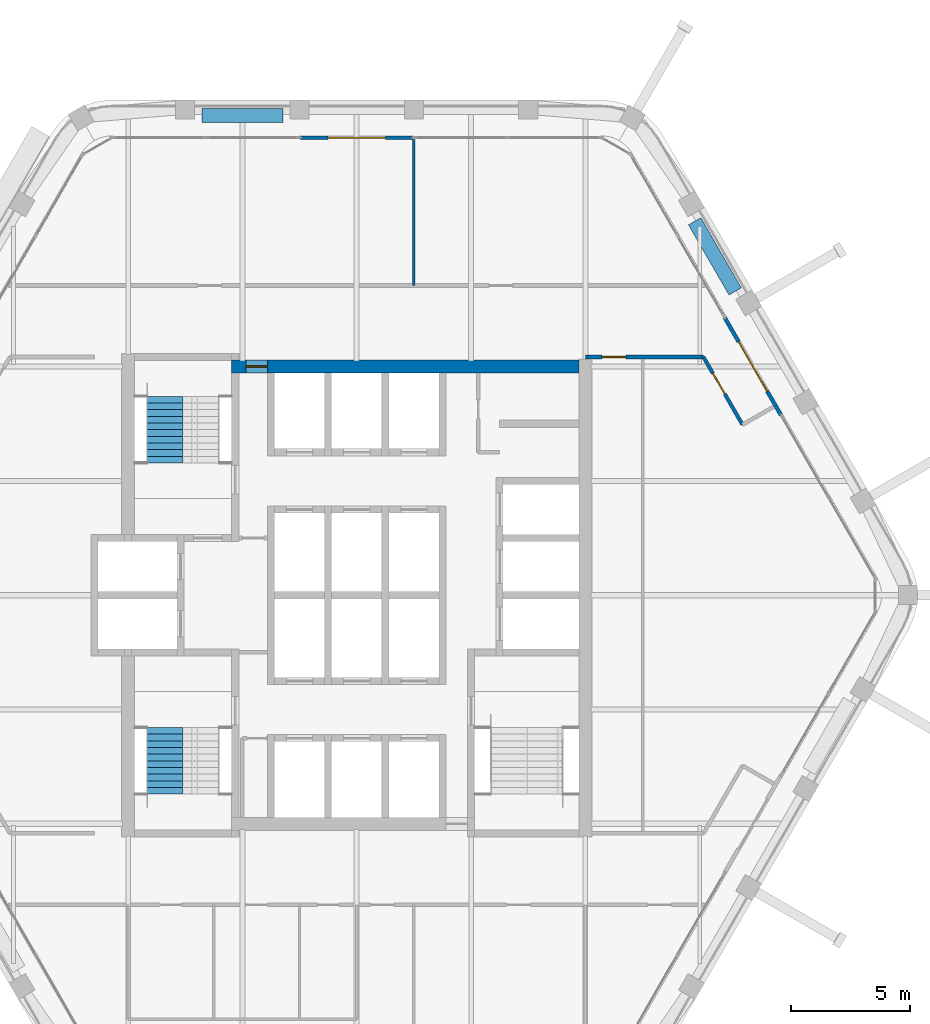
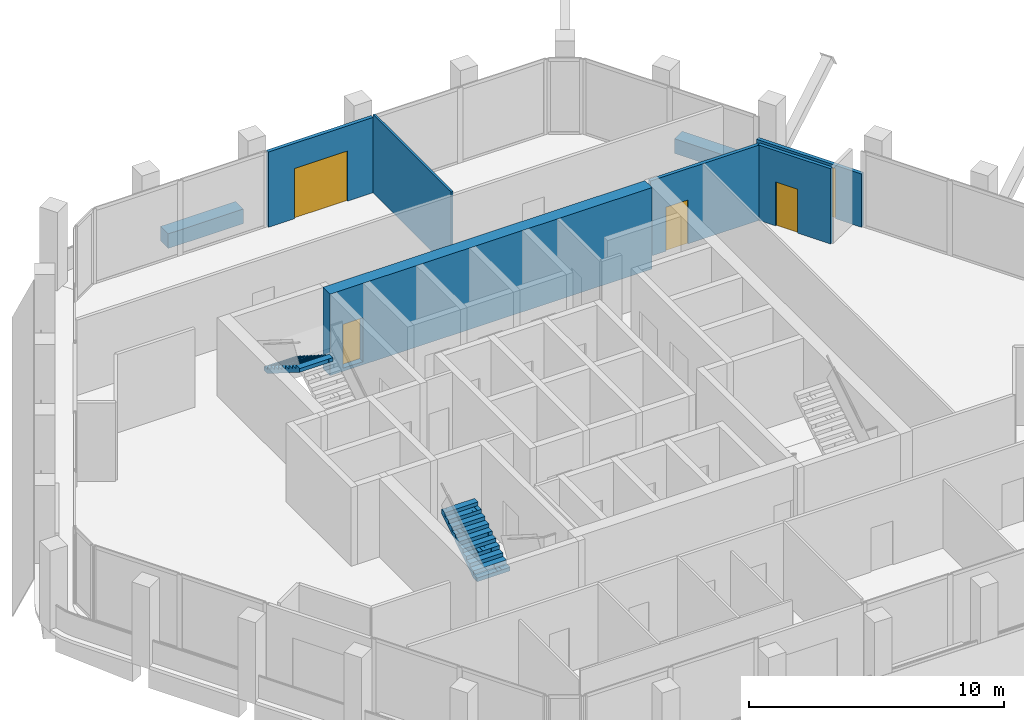
# One storey, part 10 of 14: 8 walls, 5 doors, 2 stair flights, 5 openings, 2 elements without a shape of their own.
"""IFC4 building model written with IfcOpenShell, lengths in metres."""

import ifcopenshell
import ifcopenshell.guid

model = None  # the IFC model being written
_history = None  # IfcOwnerHistory: only IFC2X3 demands one
_inside = {}  # id of a spatial element -> (the spatial element, [elements in it])
_under = {}  # id of a project, library or spatial element -> (it, [spatial elements below it])
_declared = {}  # id of a project -> (the project, [libraries it declares])
_typed = {}  # id of a type object -> (the type object, [elements of that type])
_made_of = {}  # id of a material, layer set ... -> (it, [elements and type objects made of it])


def new_model(schema):
    """Start an empty IFC model of exactly this schema.

    Asked for "IFC4X3", IfcOpenShell would pick the latest addendum, in which some entities
    have other attributes; the version numbers below select the first issue.
    IFC2X3 requires an IfcOwnerHistory on every rooted entity: one is made here for all.
    """
    global model, _history
    if schema == "IFC4X3":
        model = ifcopenshell.file(schema_version=(4, 3, 0, 0))
    else:
        model = ifcopenshell.file(schema=schema)
    _inside.clear()
    _under.clear()
    _declared.clear()
    _typed.clear()
    _made_of.clear()
    _history = None
    if model.schema == "IFC2X3":
        org = make("IfcOrganization", Name="unknown")
        user = make(
            "IfcPersonAndOrganization",
            ThePerson=make("IfcPerson", FamilyName="unknown"),
            TheOrganization=org,
        )
        app = make(
            "IfcApplication",
            ApplicationDeveloper=org,
            Version="unknown",
            ApplicationFullName="unknown",
            ApplicationIdentifier="unknown",
        )
        _history = make(
            "IfcOwnerHistory",
            OwningUser=user,
            OwningApplication=app,
            ChangeAction="ADDED",
            CreationDate=0,
        )
    return model


def make(cls, **values):
    """One entity of the class cls with the attributes given. An attribute that is None is left unset."""
    return model.create_entity(
        cls, **{name: value for name, value in values.items() if value is not None}
    )


def rooted(cls, **values):
    """An entity with a GlobalId (a new one), such as an element, a storey or a relation."""
    return make(cls, GlobalId=ifcopenshell.guid.new(), OwnerHistory=_history, **values)


def si_unit(unit_type, name, prefix=None):
    """IfcSIUnit, for example si_unit("LENGTHUNIT", "METRE", prefix="MILLI")."""
    return make("IfcSIUnit", UnitType=unit_type, Prefix=prefix, Name=name)


def assignment(units):
    """IfcUnitAssignment: the units of a project."""
    return None if units is None else make("IfcUnitAssignment", Units=units)


def point(xyz):
    """IfcCartesianPoint."""
    return None if xyz is None else make("IfcCartesianPoint", Coordinates=xyz)


def direction(xyz):
    """IfcDirection."""
    return None if xyz is None else make("IfcDirection", DirectionRatios=xyz)


def frame(location, z_axis=None, x_axis=None):
    """IfcAxis2Placement3D, a coordinate frame: its origin and axes. An axis left out is left unset."""
    return make(
        "IfcAxis2Placement3D",
        Location=point(location),
        Axis=direction(z_axis),
        RefDirection=direction(x_axis),
    )


def frame_2d(location, x_axis=None):
    """IfcAxis2Placement2D, a coordinate frame in the plane: its origin and x axis."""
    return make(
        "IfcAxis2Placement2D", Location=point(location), RefDirection=direction(x_axis)
    )


def origin():
    """The frame at (0, 0, 0) with its axes left unset."""
    return frame((0.0, 0.0, 0.0))


def place(relative_to, where):
    """IfcLocalPlacement: puts the frame where relative to a parent placement (None: the world)."""
    return make(
        "IfcLocalPlacement", PlacementRelTo=relative_to, RelativePlacement=where
    )


def context(
    kind, dimensions, precision=None, world=None, true_north=None, identifier=None
):
    """IfcGeometricRepresentationContext, for example the 3D "Model" context."""
    return make(
        "IfcGeometricRepresentationContext",
        ContextIdentifier=identifier,
        ContextType=kind,
        CoordinateSpaceDimension=dimensions,
        Precision=precision,
        WorldCoordinateSystem=world,
        TrueNorth=true_north,
    )


def subcontext(parent, identifier, kind, view, scale=None):
    """IfcGeometricRepresentationSubContext, for example "Body" below "Model"."""
    return make(
        "IfcGeometricRepresentationSubContext",
        ContextIdentifier=identifier,
        ContextType=kind,
        ParentContext=parent,
        TargetScale=scale,
        TargetView=view,
    )


def project(units=None, contexts=None):
    """IfcProject with its units and contexts."""
    return rooted(
        "IfcProject",
        Name="project",
        RepresentationContexts=contexts,
        UnitsInContext=assignment(units),
    )


def spatial(cls, under=None, at=None, **own):
    """A site, building, storey or space (cls), placed at a placement, below another one or the project."""
    s = rooted(cls, ObjectPlacement=at, **own)
    if under is not None:
        _under.setdefault(under.id(), (under, []))[1].append(s)
    return s


def polyline(points):
    """IfcPolyline through the points."""
    return make("IfcPolyline", Points=[point(p) for p in points])


def profile(cls, at=None, kind="AREA", **sizes):
    """A parametric profile (cls). Its sizes go by their IFC names, for example OverallWidth=200.0."""
    return make(cls, ProfileType=kind, Position=at, **sizes)


def rectangle(**sizes):
    """IfcRectangleProfileDef."""
    return profile("IfcRectangleProfileDef", **sizes)


def outline(outer, holes=None, kind="AREA"):
    """IfcArbitraryClosedProfileDef: a profile drawn as a closed curve; with holes, ...WithVoids."""
    if holes is None:
        return make("IfcArbitraryClosedProfileDef", ProfileType=kind, OuterCurve=outer)
    return make(
        "IfcArbitraryProfileDefWithVoids",
        ProfileType=kind,
        OuterCurve=outer,
        InnerCurves=holes,
    )


def extrude(swept, where, along, depth):
    """IfcExtrudedAreaSolid: the profile swept, set in the frame where, extruded along a direction by depth."""
    return make(
        "IfcExtrudedAreaSolid",
        SweptArea=swept,
        Position=where,
        ExtrudedDirection=direction(along),
        Depth=depth,
    )


def shape(context_of_items, identifier, shape_type, items):
    """IfcShapeRepresentation: the items that make up one representation, for example the "Body"."""
    return make(
        "IfcShapeRepresentation",
        ContextOfItems=context_of_items,
        RepresentationIdentifier=identifier,
        RepresentationType=shape_type,
        Items=items,
    )


def material(Name=None, Category=None):
    """IfcMaterial."""
    return make("IfcMaterial", Name=Name, Category=Category)


def layer(
    of_material, thickness, ventilated=None, Name=None, Category=None, Priority=None
):
    """IfcMaterialLayer: one layer of a wall or slab, of a material (None: an air gap)."""
    return make(
        "IfcMaterialLayer",
        Material=of_material,
        LayerThickness=thickness,
        IsVentilated=ventilated,
        Name=Name,
        Category=Category,
        Priority=Priority,
    )


def layer_set(layers, Name=None):
    """IfcMaterialLayerSet."""
    return make("IfcMaterialLayerSet", MaterialLayers=layers, LayerSetName=Name)


def made_of(thing, what):
    """Note that an element or type object is made of a material, layer set ...; save() writes the relation."""
    if what is not None:
        _made_of.setdefault(what.id(), (what, []))[1].append(thing)
    return thing


def type_object(cls, material=None, **own):
    """A type object (cls), such as IfcWallType, which elements share."""
    return made_of(rooted(cls, **own), material)


def element(
    cls,
    number,
    at=None,
    inside=None,
    cuts=None,
    type_object=None,
    material=None,
    context=None,
    identifier="Body",
    shape_type=None,
    held_by="IfcProductDefinitionShape",
    body=None,
    shapes=None,
    **own,
):
    """One element of the class cls, such as IfcWall. Its Tag is "e" and its number.

    at: its placement. inside: the storey or other place that contains it. cuts: it is an
    opening in that element (IfcRelVoidsElement). A single representation is given by context,
    identifier, shape_type and body (its items); several are given by shapes. held_by: the class
    of the entity that holds the representations. save() writes the other relations.
    """
    e = rooted(cls, Tag="e%d" % number, ObjectPlacement=at, **own)
    if body is not None:
        shapes = [shape(context, identifier, shape_type, body)]
    if shapes is not None:
        e.Representation = make(held_by, Representations=shapes)
    if inside is not None:
        _inside.setdefault(inside.id(), (inside, []))[1].append(e)
    if cuts is not None:
        rooted(
            "IfcRelVoidsElement", RelatingBuildingElement=cuts, RelatedOpeningElement=e
        )
    if type_object is not None:
        _typed.setdefault(type_object.id(), (type_object, []))[1].append(e)
    return made_of(e, material)


def fill(opening, filler):
    """IfcRelFillsElement: the door or window that sits in an opening."""
    return rooted(
        "IfcRelFillsElement",
        RelatingOpeningElement=opening,
        RelatedBuildingElement=filler,
    )


def aggregate(whole, parts):
    """IfcRelAggregates: a whole, such as a stair, and the parts it consists of."""
    return rooted("IfcRelAggregates", RelatingObject=whole, RelatedObjects=parts)


def save(model, path):
    """Write the relations noted so far, then the file.

    IfcRelAggregates (storeys below a building ...), IfcRelContainedInSpatialStructure (elements
    in a storey), IfcRelDefinesByType, IfcRelAssociatesMaterial and IfcRelDeclares: one each for
    every whole, place, type object, material and project.
    """
    for whole, parts in _under.values():
        aggregate(whole, parts)
    for where, things in _inside.values():
        rooted(
            "IfcRelContainedInSpatialStructure",
            RelatedElements=things,
            RelatingStructure=where,
        )
    for kind, things in _typed.values():
        rooted("IfcRelDefinesByType", RelatedObjects=things, RelatingType=kind)
    for what, things in _made_of.values():
        rooted("IfcRelAssociatesMaterial", RelatedObjects=things, RelatingMaterial=what)
    for by, libraries in _declared.values():
        rooted("IfcRelDeclares", RelatingContext=by, RelatedDefinitions=libraries)
    model.write(path)


model = new_model("IFC4")

# Units and contexts
model_context = context("Model", 3, precision=1e-05, world=origin(), true_north=direction((0.0, 1.0)))
body_context = subcontext(model_context, "Body", "Model", "MODEL_VIEW")
ifc_project = project(units=[si_unit("LENGTHUNIT", "METRE"), si_unit("AREAUNIT", "SQUARE_METRE"), si_unit("VOLUMEUNIT", "CUBIC_METRE"), si_unit("PLANEANGLEUNIT", "RADIAN"), si_unit("MASSUNIT", "GRAM", prefix="KILO")], contexts=[model_context])

# Site, building, storey
site_placement = place(None, origin())
site = spatial("IfcSite", under=ifc_project, at=site_placement, CompositionType="ELEMENT")
building_placement = place(site_placement, origin())
building = spatial("IfcBuilding", under=site, at=building_placement, Name="Kolab Exchange Tower", CompositionType="ELEMENT")
storey_placement = place(building_placement, frame((0.0, 0.0, 281.300048828125)))
storey = spatial("IfcBuildingStorey", under=building, at=storey_placement, Name="L63", CompositionType="ELEMENT", Elevation=281.300048828125)

# Wall, opening, door
ifc_material_1 = material(Name="Concrete C50/60", Category="concrete")
ifc_layer_1 = layer(ifc_material_1, 0.550048828125)
ifc_layer_set_1 = layer_set([ifc_layer_1], Name="Concrete C50/60")
wall_type_1 = type_object("IfcWallType", Name="CORE WALL 550 C50/60", PredefinedType="SHEAR", material=ifc_layer_set_1)
wall_1_placement = place(storey_placement, frame((-5.25, 9.60009765625, -0.150146484375), z_axis=(0.0, 0.0, 1.0), x_axis=(1.0, 0.0, 0.0)))
wall_1 = element("IfcWall", 1, at=wall_1_placement, inside=storey, type_object=wall_type_1, Name="wall/L63/core/031", PredefinedType="SHEAR", context=body_context, shape_type="SweptSolid", body=[
    extrude(rectangle(XDim=14.574951171875, YDim=0.550048828125, at=frame_2d((7.28759765625, 0.0))), origin(), (0.0, 0.0, 1.0), 3.900146484375),
])
opening_1_placement = place(wall_1_placement, frame((0.60009765625, 0.0, 0.14990234375)))
opening_1 = element("IfcOpeningElement", 2, at=opening_1_placement, cuts=wall_1, Name="Opening D6-295", PredefinedType="OPENING", context=body_context, shape_type="SweptSolid", body=[
    extrude(rectangle(XDim=0.89990234375, YDim=2.10009765625, at=frame_2d((0.449951171875, 1.050048828125))), frame((0.0, 0.28515625, 0.0), z_axis=(0.0, -1.0, 0.0), x_axis=(1.0, 0.0, 0.0)), (0.0, 0.0, 1.0), 0.570068359375),
])
ifc_material_2 = material(Name="Steel S235", Category="steel")
door_type_1 = type_object("IfcDoorType", Name="CORE DOOR 900 EI 120", OperationType="SINGLE_SWING_LEFT", PredefinedType="DOOR", material=ifc_material_2)
door_1_placement = place(opening_1_placement, frame((0.89990234375, 0.0, 0.0), z_axis=(0.0, 0.0, 1.0), x_axis=(-1.0, 0.0, 0.0)))
door_1 = element("IfcDoor", 3, at=door_1_placement, inside=storey, type_object=door_type_1, Name="Core lobby door", OperationType="SINGLE_SWING_RIGHT", OverallHeight=2.10009765625, OverallWidth=0.89990234375, PredefinedType="DOOR", context=body_context, shape_type="SweptSolid", body=[
    extrude(rectangle(XDim=0.89990234375, YDim=2.10009765625, at=frame_2d((0.449951171875, 1.050048828125))), frame((0.0, 0.02490234375, 0.0), z_axis=(0.0, -1.0, 0.0), x_axis=(1.0, 0.0, 0.0)), (0.0, 0.0, 1.0), 0.050048828125),
])
fill(opening_1, door_1)

ifc_material_3 = material(Name="Aluminium EN AW-6063 T6", Category="aluminium")
ifc_layer_2 = layer(ifc_material_3, 0.159912109375)
ifc_layer_set_2 = layer_set([ifc_layer_2], Name="Aluminium EN AW-6063 T6")
wall_type_2 = type_object("IfcWallType", Name="DOOR SURROUND WALL 160 ALUMINIUM FRAMED", PredefinedType="PARTITIONING", material=ifc_layer_set_2)
wall_2_placement = place(storey_placement, frame((-2.3701171875, 19.20458984375, 0.0), z_axis=(0.0, 0.0, 1.0), x_axis=(1.0, 0.0, 0.0)))
wall_2 = element("IfcWall", 4, at=wall_2_placement, inside=storey, type_object=wall_type_2, Name="Door surround wall", PredefinedType="PARTITIONING", context=body_context, shape_type="SweptSolid", body=[
    extrude(rectangle(XDim=4.740234375, YDim=0.159912109375, at=frame_2d((2.3701171875, 0.0))), origin(), (0.0, 0.0, 1.0), 3.599853515625),
])
opening_2_placement = place(wall_2_placement, frame((1.169921875, 0.0, 0.0)))
opening_2 = element("IfcOpeningElement", 5, at=opening_2_placement, cuts=wall_2, Name="Opening GD1-098", PredefinedType="OPENING", context=body_context, shape_type="SweptSolid", body=[
    extrude(rectangle(XDim=2.39990234375, YDim=2.39990234375, at=frame_2d((1.199951171875, 1.199951171875))), frame((0.0, 0.08984375, 0.0), z_axis=(0.0, -1.0, 0.0), x_axis=(1.0, 0.0, 0.0)), (0.0, 0.0, 1.0), 0.179931640625),
])
door_type_2 = type_object("IfcDoorType", Name="LOGGIA SLIDING GLASS DOOR 2400 X 2400", OperationType="DOUBLE_DOOR_SINGLE_SWING", PredefinedType="DOOR", material=ifc_material_3)
door_2_placement = place(opening_2_placement, origin())
door_2 = element("IfcDoor", 6, at=door_2_placement, inside=storey, type_object=door_type_2, Name="Loggia door", OperationType="DOUBLE_DOOR_SLIDING", OverallHeight=2.39990234375, OverallWidth=2.39990234375, PredefinedType="DOOR", context=body_context, shape_type="SweptSolid", body=[
    extrude(rectangle(XDim=2.39990234375, YDim=2.39990234375, at=frame_2d((1.199951171875, 1.199951171875))), frame((0.0, 0.02490234375, 0.0), z_axis=(0.0, -1.0, 0.0), x_axis=(1.0, 0.0, 0.0)), (0.0, 0.0, 1.0), 0.050048828125),
])
fill(opening_2, door_2)

wall_3_placement = place(storey_placement, frame((15.44677734375, 11.65478515625, 0.0), z_axis=(0.0, 0.0, 1.0), x_axis=(0.499978080042, -0.866038058908, 0.0)))
wall_3 = element("IfcWall", 7, at=wall_3_placement, inside=storey, type_object=wall_type_2, Name="Door surround wall", PredefinedType="PARTITIONING", context=body_context, shape_type="SweptSolid", body=[
    extrude(rectangle(XDim=4.739990234375, YDim=0.159912109375, at=frame_2d((2.3701171875, 0.0))), origin(), (0.0, 0.0, 1.0), 2.550048828125),
])
opening_3_placement = place(wall_3_placement, frame((1.169921875, 0.0, 0.0)))
opening_3 = element("IfcOpeningElement", 8, at=opening_3_placement, cuts=wall_3, Name="Opening GD1-114", PredefinedType="OPENING", context=body_context, shape_type="SweptSolid", body=[
    extrude(rectangle(XDim=2.39990234375, YDim=2.39990234375, at=frame_2d((1.199951171875, 1.199951171875))), frame((0.0, 0.08984375, 0.0), z_axis=(0.0, -1.0, 0.0), x_axis=(1.0, 0.0, 0.0)), (0.0, 0.0, 1.0), 0.179931640625),
])
door_3_placement = place(opening_3_placement, origin())
door_3 = element("IfcDoor", 9, at=door_3_placement, inside=storey, type_object=door_type_2, Name="Loggia door", OperationType="DOUBLE_DOOR_SLIDING", OverallHeight=2.39990234375, OverallWidth=2.39990234375, PredefinedType="DOOR", context=body_context, shape_type="SweptSolid", body=[
    extrude(rectangle(XDim=2.39990234375, YDim=2.39990234375, at=frame_2d((1.199951171875, 1.199951171875))), frame((0.0, 0.02490234375, 0.0), z_axis=(0.0, -1.0, 0.0), x_axis=(1.0, 0.0, 0.0)), (0.0, 0.0, 1.0), 0.050048828125),
])
fill(opening_3, door_3)

# Wall
ifc_material_4 = material(Name="Gypsum board", Category="gypsum")
ifc_layer_3 = layer(ifc_material_4, 0.10009765625)
ifc_layer_set_3 = layer_set([ifc_layer_3], Name="Gypsum board")
wall_type_3 = type_object("IfcWallType", Name="PARTITION 100", PredefinedType="PARTITIONING", material=ifc_layer_set_3)
wall_4_placement = place(storey_placement, frame((2.39990234375, 13.0, 0.0), z_axis=(0.0, 0.0, 1.0), x_axis=(0.0, 1.0, 0.0)))
element("IfcWall", 10, at=wall_4_placement, inside=storey, type_object=wall_type_3, Name="Partition 004", PredefinedType="PARTITIONING", context=body_context, shape_type="SweptSolid", body=[
    extrude(rectangle(XDim=6.12451171875, YDim=0.10009765625, at=frame_2d((3.062255859375, 0.0))), origin(), (0.0, 0.0, 1.0), 3.75),
])

# Wall, opening, door
ifc_layer_4 = layer(ifc_material_4, 0.14990234375)
ifc_layer_set_4 = layer_set([ifc_layer_4], Name="Gypsum board")
wall_type_4 = type_object("IfcWallType", Name="PARTITION 150 FIRE-RATED", PredefinedType="PARTITIONING", material=ifc_layer_set_4)
wall_5_placement = place(storey_placement, frame((14.5546875, 10.0, 0.0), z_axis=(0.0, 0.0, 1.0), x_axis=(0.499954196102, -0.866051847062, 0.0)))
wall_5 = element("IfcWall", 11, at=wall_5_placement, inside=storey, type_object=wall_type_4, Name="Partition 011", PredefinedType="PARTITIONING", context=body_context, shape_type="SweptSolid", body=[
    extrude(rectangle(XDim=3.282958984375, YDim=0.14990234375, at=frame_2d((1.6416015625, 0.0))), origin(), (0.0, 0.0, 1.0), 3.599853515625),
])
opening_4_placement = place(wall_5_placement, frame((0.7939453125, 0.0, 0.0)))
opening_4 = element("IfcOpeningElement", 12, at=opening_4_placement, cuts=wall_5, Name="Opening D1-740", PredefinedType="OPENING", context=body_context, shape_type="SweptSolid", body=[
    extrude(rectangle(XDim=1.0, YDim=2.10009765625, at=frame_2d((0.5, 1.050048828125))), frame((0.0, 0.0849609375, 0.0), z_axis=(0.0, -1.0, 0.0), x_axis=(1.0, 0.0, 0.0)), (0.0, 0.0, 1.0), 0.169921875),
])
door_type_3 = type_object("IfcDoorType", Name="FLUSH DOOR 1000 FD60", OperationType="SINGLE_SWING_LEFT", PredefinedType="DOOR", material=ifc_material_2)
door_4_placement = place(opening_4_placement, frame((1.0, 0.0, 0.0), z_axis=(0.0, 0.0, 1.0), x_axis=(-1.0, 0.0, 0.0)))
door_4 = element("IfcDoor", 13, at=door_4_placement, inside=storey, type_object=door_type_3, Name="Door L63-038", OperationType="SINGLE_SWING_LEFT", OverallHeight=2.10009765625, OverallWidth=1.0, PredefinedType="DOOR", context=body_context, shape_type="SweptSolid", body=[
    extrude(rectangle(XDim=1.0, YDim=2.10009765625, at=frame_2d((0.5, 1.050048828125))), frame((0.0, 0.02490234375, 0.0), z_axis=(0.0, -1.0, 0.0), x_axis=(1.0, 0.0, 0.0)), (0.0, 0.0, 1.0), 0.050048828125),
])
fill(opening_4, door_4)

wall_6_placement = place(storey_placement, frame((9.60009765625, 10.0, 0.0), z_axis=(0.0, 0.0, 1.0), x_axis=(1.0, 0.0, 0.0)))
wall_6 = element("IfcWall", 14, at=wall_6_placement, inside=storey, type_object=wall_type_4, Name="Partition 025", PredefinedType="PARTITIONING", context=body_context, shape_type="SweptSolid", body=[
    extrude(rectangle(XDim=4.95458984375, YDim=0.14990234375, at=frame_2d((2.477294921875, 0.0))), origin(), (0.0, 0.0, 1.0), 3.599853515625),
])
opening_5_placement = place(wall_6_placement, frame((0.699951171875, 0.0, 0.0)))
opening_5 = element("IfcOpeningElement", 15, at=opening_5_placement, cuts=wall_6, Name="Opening D1-739", PredefinedType="OPENING", context=body_context, shape_type="SweptSolid", body=[
    extrude(rectangle(XDim=1.0, YDim=2.10009765625, at=frame_2d((0.5, 1.050048828125))), frame((0.0, 0.0849609375, 0.0), z_axis=(0.0, -1.0, 0.0), x_axis=(1.0, 0.0, 0.0)), (0.0, 0.0, 1.0), 0.169921875),
])
door_5_placement = place(opening_5_placement, frame((1.0, 0.0, 0.0), z_axis=(0.0, 0.0, 1.0), x_axis=(-1.0, 0.0, 0.0)))
door_5 = element("IfcDoor", 16, at=door_5_placement, inside=storey, type_object=door_type_3, Name="Door L63-037", OperationType="SINGLE_SWING_LEFT", OverallHeight=2.10009765625, OverallWidth=1.0, PredefinedType="DOOR", context=body_context, shape_type="SweptSolid", body=[
    extrude(rectangle(XDim=1.0, YDim=2.10009765625, at=frame_2d((0.5, 1.050048828125))), frame((0.0, 0.02490234375, 0.0), z_axis=(0.0, -1.0, 0.0), x_axis=(1.0, 0.0, 0.0)), (0.0, 0.0, 1.0), 0.050048828125),
])
fill(opening_5, door_5)

# Walls
ifc_material_5 = material(Name="Granite facing", Category="masonry")
ifc_layer_5 = layer(ifc_material_5, 0.0400390625)
ifc_material_6 = material(Name="Concrete C40/50 precast", Category="concrete")
ifc_layer_6 = layer(ifc_material_6, 0.56005859375)
ifc_layer_set_5 = layer_set([ifc_layer_5, ifc_layer_6], Name="Concrete C40/50 precast")
wall_type_5 = type_object("IfcWallType", Name="PLANTER BOX 600 X 700 SOIL DEPTH 550", PredefinedType="USERDEFINED", material=ifc_layer_set_5)
wall_7_placement = place(storey_placement, frame((-6.5, 20.134521484375, 0.0), z_axis=(0.0, 0.0, 1.0), x_axis=(1.0, 0.0, 0.0)))
element("IfcWall", 17, at=wall_7_placement, inside=storey, type_object=wall_type_5, Name="Planter", ObjectType="PLANTER", PredefinedType="USERDEFINED", context=body_context, shape_type="SweptSolid", body=[
    extrude(rectangle(XDim=3.39990234375, YDim=0.60009765625, at=frame_2d((1.699951171875, 0.0))), origin(), (0.0, 0.0, 1.0), 0.699951171875),
])
wall_8_placement = place(storey_placement, frame((14.18701171875, 15.696533203125, 0.0), z_axis=(0.0, 0.0, 1.0), x_axis=(0.499977295307, -0.866038511948, 0.0)))
element("IfcWall", 18, at=wall_8_placement, inside=storey, type_object=wall_type_5, Name="Planter", ObjectType="PLANTER", PredefinedType="USERDEFINED", context=body_context, shape_type="SweptSolid", body=[
    extrude(rectangle(XDim=3.400146484375, YDim=0.60009765625, at=frame_2d((1.7001953125, 0.0))), origin(), (0.0, 0.0, 1.0), 0.699951171875),
])

# Stair, stair flight
stair_type_1 = type_object("IfcStairType", Name="STAIR ST1 RISER 177.3", PredefinedType="HALF_TURN_STAIR", material=ifc_material_1)
stair_1_placement = place(storey_placement, origin())
stair_1 = element("IfcStair", 19, at=stair_1_placement, inside=storey, type_object=stair_type_1, Name="Stair 1", PredefinedType="HALF_TURN_STAIR")
stair_flight_type = type_object("IfcStairFlightType", Name="STAIR FLIGHT 1500 RISER 177.3", PredefinedType="STRAIGHT", material=ifc_material_1)
stair_flight_1_placement = place(storey_placement, frame((-8.047607421875, 8.35009765625, 1.949951171875), z_axis=(0.0, 0.0, 1.0), x_axis=(0.0, -1.0, 0.0)))
stair_flight_1 = element("IfcStairFlight", 20, at=stair_flight_1_placement, type_object=stair_flight_type, Name="ST1 flight 2", NumberOfRisers=11, NumberOfTreads=10, PredefinedType="STRAIGHT", RiserHeight=0.177272727, TreadLength=0.28, context=body_context, shape_type="SweptSolid", body=[
    extrude(outline(polyline([(0.0, 0.0), (0.0, 0.17724609375), (0.280029296875, 0.17724609375), (0.280029296875, 0.3544921875), (0.56005859375, 0.3544921875), (0.56005859375, 0.53173828125), (0.840087890625, 0.53173828125), (0.840087890625, 0.708984375), (1.1201171875, 0.708984375), (1.1201171875, 0.886474609375), (1.39990234375, 0.886474609375), (1.39990234375, 1.063720703125), (1.679931640625, 1.063720703125), (1.679931640625, 1.240966796875), (1.9599609375, 1.240966796875), (1.9599609375, 1.418212890625), (2.239990234375, 1.418212890625), (2.239990234375, 1.595458984375), (2.52001953125, 1.595458984375), (2.52001953125, 1.772705078125), (2.800048828125, 1.772705078125), (2.800048828125, 1.949951171875), (2.800048828125, 1.59521484375), (0.2802734375, 0.0), (0.0, 0.0)])), frame((0.0, 0.75, 0.0), z_axis=(0.0, -1.0, 0.0), x_axis=(1.0, 0.0, 0.0)), (0.0, 0.0, 1.0), 0.185791015625),
    extrude(outline(polyline([(0.0, 0.0), (0.0, 0.17724609375), (0.280029296875, 0.17724609375), (0.280029296875, 0.3544921875), (0.56005859375, 0.3544921875), (0.56005859375, 0.53173828125), (0.840087890625, 0.53173828125), (0.840087890625, 0.708984375), (1.1201171875, 0.708984375), (1.1201171875, 0.886474609375), (1.39990234375, 0.886474609375), (1.39990234375, 1.063720703125), (1.679931640625, 1.063720703125), (1.679931640625, 1.240966796875), (1.9599609375, 1.240966796875), (1.9599609375, 1.418212890625), (2.239990234375, 1.418212890625), (2.239990234375, 1.595458984375), (2.52001953125, 1.595458984375), (2.52001953125, 1.772705078125), (2.800048828125, 1.772705078125), (2.800048828125, 1.949951171875), (2.800048828125, 1.59521484375), (0.2802734375, 0.0), (0.0, 0.0)])), frame((0.0, 0.562255859375, 0.0), z_axis=(0.0, -1.0, 0.0), x_axis=(1.0, 0.0, 0.0)), (0.0, 0.0, 1.0), 0.185791015625),
    extrude(outline(polyline([(0.0, 0.0), (0.0, 0.17724609375), (0.280029296875, 0.17724609375), (0.280029296875, 0.3544921875), (0.56005859375, 0.3544921875), (0.56005859375, 0.53173828125), (0.840087890625, 0.53173828125), (0.840087890625, 0.708984375), (1.1201171875, 0.708984375), (1.1201171875, 0.886474609375), (1.39990234375, 0.886474609375), (1.39990234375, 1.063720703125), (1.679931640625, 1.063720703125), (1.679931640625, 1.240966796875), (1.9599609375, 1.240966796875), (1.9599609375, 1.418212890625), (2.239990234375, 1.418212890625), (2.239990234375, 1.595458984375), (2.52001953125, 1.595458984375), (2.52001953125, 1.772705078125), (2.800048828125, 1.772705078125), (2.800048828125, 1.949951171875), (2.800048828125, 1.59521484375), (0.2802734375, 0.0), (0.0, 0.0)])), frame((0.0, 0.37451171875, 0.0), z_axis=(0.0, -1.0, 0.0), x_axis=(1.0, 0.0, 0.0)), (0.0, 0.0, 1.0), 0.185791015625),
    extrude(outline(polyline([(0.0, 0.0), (0.0, 0.17724609375), (0.280029296875, 0.17724609375), (0.280029296875, 0.3544921875), (0.56005859375, 0.3544921875), (0.56005859375, 0.53173828125), (0.840087890625, 0.53173828125), (0.840087890625, 0.708984375), (1.1201171875, 0.708984375), (1.1201171875, 0.886474609375), (1.39990234375, 0.886474609375), (1.39990234375, 1.063720703125), (1.679931640625, 1.063720703125), (1.679931640625, 1.240966796875), (1.9599609375, 1.240966796875), (1.9599609375, 1.418212890625), (2.239990234375, 1.418212890625), (2.239990234375, 1.595458984375), (2.52001953125, 1.595458984375), (2.52001953125, 1.772705078125), (2.800048828125, 1.772705078125), (2.800048828125, 1.949951171875), (2.800048828125, 1.59521484375), (0.2802734375, 0.0), (0.0, 0.0)])), frame((0.0, 0.186767578125, 0.0), z_axis=(0.0, -1.0, 0.0), x_axis=(1.0, 0.0, 0.0)), (0.0, 0.0, 1.0), 0.185791015625),
    extrude(outline(polyline([(0.0, 0.0), (0.0, 0.17724609375), (0.280029296875, 0.17724609375), (0.280029296875, 0.3544921875), (0.56005859375, 0.3544921875), (0.56005859375, 0.53173828125), (0.840087890625, 0.53173828125), (0.840087890625, 0.708984375), (1.1201171875, 0.708984375), (1.1201171875, 0.886474609375), (1.39990234375, 0.886474609375), (1.39990234375, 1.063720703125), (1.679931640625, 1.063720703125), (1.679931640625, 1.240966796875), (1.9599609375, 1.240966796875), (1.9599609375, 1.418212890625), (2.239990234375, 1.418212890625), (2.239990234375, 1.595458984375), (2.52001953125, 1.595458984375), (2.52001953125, 1.772705078125), (2.800048828125, 1.772705078125), (2.800048828125, 1.949951171875), (2.800048828125, 1.59521484375), (0.2802734375, 0.0), (0.0, 0.0)])), frame((0.0, -0.0009765625, 0.0), z_axis=(0.0, -1.0, 0.0), x_axis=(1.0, 0.0, 0.0)), (0.0, 0.0, 1.0), 0.185791015625),
    extrude(outline(polyline([(0.0, 0.0), (0.0, 0.17724609375), (0.280029296875, 0.17724609375), (0.280029296875, 0.3544921875), (0.56005859375, 0.3544921875), (0.56005859375, 0.53173828125), (0.840087890625, 0.53173828125), (0.840087890625, 0.708984375), (1.1201171875, 0.708984375), (1.1201171875, 0.886474609375), (1.39990234375, 0.886474609375), (1.39990234375, 1.063720703125), (1.679931640625, 1.063720703125), (1.679931640625, 1.240966796875), (1.9599609375, 1.240966796875), (1.9599609375, 1.418212890625), (2.239990234375, 1.418212890625), (2.239990234375, 1.595458984375), (2.52001953125, 1.595458984375), (2.52001953125, 1.772705078125), (2.800048828125, 1.772705078125), (2.800048828125, 1.949951171875), (2.800048828125, 1.59521484375), (0.2802734375, 0.0), (0.0, 0.0)])), frame((0.0, -0.188720703125, 0.0), z_axis=(0.0, -1.0, 0.0), x_axis=(1.0, 0.0, 0.0)), (0.0, 0.0, 1.0), 0.185791015625),
    extrude(outline(polyline([(0.0, 0.0), (0.0, 0.17724609375), (0.280029296875, 0.17724609375), (0.280029296875, 0.3544921875), (0.56005859375, 0.3544921875), (0.56005859375, 0.53173828125), (0.840087890625, 0.53173828125), (0.840087890625, 0.708984375), (1.1201171875, 0.708984375), (1.1201171875, 0.886474609375), (1.39990234375, 0.886474609375), (1.39990234375, 1.063720703125), (1.679931640625, 1.063720703125), (1.679931640625, 1.240966796875), (1.9599609375, 1.240966796875), (1.9599609375, 1.418212890625), (2.239990234375, 1.418212890625), (2.239990234375, 1.595458984375), (2.52001953125, 1.595458984375), (2.52001953125, 1.772705078125), (2.800048828125, 1.772705078125), (2.800048828125, 1.949951171875), (2.800048828125, 1.59521484375), (0.2802734375, 0.0), (0.0, 0.0)])), frame((0.0, -0.37646484375, 0.0), z_axis=(0.0, -1.0, 0.0), x_axis=(1.0, 0.0, 0.0)), (0.0, 0.0, 1.0), 0.185791015625),
    extrude(outline(polyline([(0.0, 0.0), (0.0, 0.17724609375), (0.280029296875, 0.17724609375), (0.280029296875, 0.3544921875), (0.56005859375, 0.3544921875), (0.56005859375, 0.53173828125), (0.840087890625, 0.53173828125), (0.840087890625, 0.708984375), (1.1201171875, 0.708984375), (1.1201171875, 0.886474609375), (1.39990234375, 0.886474609375), (1.39990234375, 1.063720703125), (1.679931640625, 1.063720703125), (1.679931640625, 1.240966796875), (1.9599609375, 1.240966796875), (1.9599609375, 1.418212890625), (2.239990234375, 1.418212890625), (2.239990234375, 1.595458984375), (2.52001953125, 1.595458984375), (2.52001953125, 1.772705078125), (2.800048828125, 1.772705078125), (2.800048828125, 1.949951171875), (2.800048828125, 1.59521484375), (0.2802734375, 0.0), (0.0, 0.0)])), frame((0.0, -0.564208984375, 0.0), z_axis=(0.0, -1.0, 0.0), x_axis=(1.0, 0.0, 0.0)), (0.0, 0.0, 1.0), 0.185791015625),
])
aggregate(stair_1, [stair_flight_1])

stair_type_2 = type_object("IfcStairType", Name="STAIR ST3 RISER 177.3", PredefinedType="HALF_TURN_STAIR", material=ifc_material_1)
stair_2_placement = place(storey_placement, origin())
stair_2 = element("IfcStair", 21, at=stair_2_placement, inside=storey, type_object=stair_type_2, Name="Stair 3", PredefinedType="HALF_TURN_STAIR")
stair_flight_2_placement = place(storey_placement, frame((-8.047607421875, -8.35009765625, 1.949951171875), z_axis=(0.0, 0.0, 1.0), x_axis=(0.0, 1.0, 0.0)))
stair_flight_2 = element("IfcStairFlight", 22, at=stair_flight_2_placement, type_object=stair_flight_type, Name="ST3 flight 2", NumberOfRisers=11, NumberOfTreads=10, PredefinedType="STRAIGHT", RiserHeight=0.177272727, TreadLength=0.28, context=body_context, shape_type="SweptSolid", body=[
    extrude(outline(polyline([(0.0, 0.0), (0.0, 0.17724609375), (0.280029296875, 0.17724609375), (0.280029296875, 0.3544921875), (0.56005859375, 0.3544921875), (0.56005859375, 0.53173828125), (0.840087890625, 0.53173828125), (0.840087890625, 0.708984375), (1.1201171875, 0.708984375), (1.1201171875, 0.886474609375), (1.39990234375, 0.886474609375), (1.39990234375, 1.063720703125), (1.679931640625, 1.063720703125), (1.679931640625, 1.240966796875), (1.9599609375, 1.240966796875), (1.9599609375, 1.418212890625), (2.239990234375, 1.418212890625), (2.239990234375, 1.595458984375), (2.52001953125, 1.595458984375), (2.52001953125, 1.772705078125), (2.800048828125, 1.772705078125), (2.800048828125, 1.949951171875), (2.800048828125, 1.59521484375), (0.2802734375, 0.0), (0.0, 0.0)])), frame((0.0, 0.75, 0.0), z_axis=(0.0, -1.0, 0.0), x_axis=(1.0, 0.0, 0.0)), (0.0, 0.0, 1.0), 0.185791015625),
    extrude(outline(polyline([(0.0, 0.0), (0.0, 0.17724609375), (0.280029296875, 0.17724609375), (0.280029296875, 0.3544921875), (0.56005859375, 0.3544921875), (0.56005859375, 0.53173828125), (0.840087890625, 0.53173828125), (0.840087890625, 0.708984375), (1.1201171875, 0.708984375), (1.1201171875, 0.886474609375), (1.39990234375, 0.886474609375), (1.39990234375, 1.063720703125), (1.679931640625, 1.063720703125), (1.679931640625, 1.240966796875), (1.9599609375, 1.240966796875), (1.9599609375, 1.418212890625), (2.239990234375, 1.418212890625), (2.239990234375, 1.595458984375), (2.52001953125, 1.595458984375), (2.52001953125, 1.772705078125), (2.800048828125, 1.772705078125), (2.800048828125, 1.949951171875), (2.800048828125, 1.59521484375), (0.2802734375, 0.0), (0.0, 0.0)])), frame((0.0, 0.562255859375, 0.0), z_axis=(0.0, -1.0, 0.0), x_axis=(1.0, 0.0, 0.0)), (0.0, 0.0, 1.0), 0.185791015625),
    extrude(outline(polyline([(0.0, 0.0), (0.0, 0.17724609375), (0.280029296875, 0.17724609375), (0.280029296875, 0.3544921875), (0.56005859375, 0.3544921875), (0.56005859375, 0.53173828125), (0.840087890625, 0.53173828125), (0.840087890625, 0.708984375), (1.1201171875, 0.708984375), (1.1201171875, 0.886474609375), (1.39990234375, 0.886474609375), (1.39990234375, 1.063720703125), (1.679931640625, 1.063720703125), (1.679931640625, 1.240966796875), (1.9599609375, 1.240966796875), (1.9599609375, 1.418212890625), (2.239990234375, 1.418212890625), (2.239990234375, 1.595458984375), (2.52001953125, 1.595458984375), (2.52001953125, 1.772705078125), (2.800048828125, 1.772705078125), (2.800048828125, 1.949951171875), (2.800048828125, 1.59521484375), (0.2802734375, 0.0), (0.0, 0.0)])), frame((0.0, 0.37451171875, 0.0), z_axis=(0.0, -1.0, 0.0), x_axis=(1.0, 0.0, 0.0)), (0.0, 0.0, 1.0), 0.185791015625),
    extrude(outline(polyline([(0.0, 0.0), (0.0, 0.17724609375), (0.280029296875, 0.17724609375), (0.280029296875, 0.3544921875), (0.56005859375, 0.3544921875), (0.56005859375, 0.53173828125), (0.840087890625, 0.53173828125), (0.840087890625, 0.708984375), (1.1201171875, 0.708984375), (1.1201171875, 0.886474609375), (1.39990234375, 0.886474609375), (1.39990234375, 1.063720703125), (1.679931640625, 1.063720703125), (1.679931640625, 1.240966796875), (1.9599609375, 1.240966796875), (1.9599609375, 1.418212890625), (2.239990234375, 1.418212890625), (2.239990234375, 1.595458984375), (2.52001953125, 1.595458984375), (2.52001953125, 1.772705078125), (2.800048828125, 1.772705078125), (2.800048828125, 1.949951171875), (2.800048828125, 1.59521484375), (0.2802734375, 0.0), (0.0, 0.0)])), frame((0.0, 0.186767578125, 0.0), z_axis=(0.0, -1.0, 0.0), x_axis=(1.0, 0.0, 0.0)), (0.0, 0.0, 1.0), 0.185791015625),
    extrude(outline(polyline([(0.0, 0.0), (0.0, 0.17724609375), (0.280029296875, 0.17724609375), (0.280029296875, 0.3544921875), (0.56005859375, 0.3544921875), (0.56005859375, 0.53173828125), (0.840087890625, 0.53173828125), (0.840087890625, 0.708984375), (1.1201171875, 0.708984375), (1.1201171875, 0.886474609375), (1.39990234375, 0.886474609375), (1.39990234375, 1.063720703125), (1.679931640625, 1.063720703125), (1.679931640625, 1.240966796875), (1.9599609375, 1.240966796875), (1.9599609375, 1.418212890625), (2.239990234375, 1.418212890625), (2.239990234375, 1.595458984375), (2.52001953125, 1.595458984375), (2.52001953125, 1.772705078125), (2.800048828125, 1.772705078125), (2.800048828125, 1.949951171875), (2.800048828125, 1.59521484375), (0.2802734375, 0.0), (0.0, 0.0)])), frame((0.0, -0.0009765625, 0.0), z_axis=(0.0, -1.0, 0.0), x_axis=(1.0, 0.0, 0.0)), (0.0, 0.0, 1.0), 0.185791015625),
    extrude(outline(polyline([(0.0, 0.0), (0.0, 0.17724609375), (0.280029296875, 0.17724609375), (0.280029296875, 0.3544921875), (0.56005859375, 0.3544921875), (0.56005859375, 0.53173828125), (0.840087890625, 0.53173828125), (0.840087890625, 0.708984375), (1.1201171875, 0.708984375), (1.1201171875, 0.886474609375), (1.39990234375, 0.886474609375), (1.39990234375, 1.063720703125), (1.679931640625, 1.063720703125), (1.679931640625, 1.240966796875), (1.9599609375, 1.240966796875), (1.9599609375, 1.418212890625), (2.239990234375, 1.418212890625), (2.239990234375, 1.595458984375), (2.52001953125, 1.595458984375), (2.52001953125, 1.772705078125), (2.800048828125, 1.772705078125), (2.800048828125, 1.949951171875), (2.800048828125, 1.59521484375), (0.2802734375, 0.0), (0.0, 0.0)])), frame((0.0, -0.188720703125, 0.0), z_axis=(0.0, -1.0, 0.0), x_axis=(1.0, 0.0, 0.0)), (0.0, 0.0, 1.0), 0.185791015625),
    extrude(outline(polyline([(0.0, 0.0), (0.0, 0.17724609375), (0.280029296875, 0.17724609375), (0.280029296875, 0.3544921875), (0.56005859375, 0.3544921875), (0.56005859375, 0.53173828125), (0.840087890625, 0.53173828125), (0.840087890625, 0.708984375), (1.1201171875, 0.708984375), (1.1201171875, 0.886474609375), (1.39990234375, 0.886474609375), (1.39990234375, 1.063720703125), (1.679931640625, 1.063720703125), (1.679931640625, 1.240966796875), (1.9599609375, 1.240966796875), (1.9599609375, 1.418212890625), (2.239990234375, 1.418212890625), (2.239990234375, 1.595458984375), (2.52001953125, 1.595458984375), (2.52001953125, 1.772705078125), (2.800048828125, 1.772705078125), (2.800048828125, 1.949951171875), (2.800048828125, 1.59521484375), (0.2802734375, 0.0), (0.0, 0.0)])), frame((0.0, -0.37646484375, 0.0), z_axis=(0.0, -1.0, 0.0), x_axis=(1.0, 0.0, 0.0)), (0.0, 0.0, 1.0), 0.185791015625),
    extrude(outline(polyline([(0.0, 0.0), (0.0, 0.17724609375), (0.280029296875, 0.17724609375), (0.280029296875, 0.3544921875), (0.56005859375, 0.3544921875), (0.56005859375, 0.53173828125), (0.840087890625, 0.53173828125), (0.840087890625, 0.708984375), (1.1201171875, 0.708984375), (1.1201171875, 0.886474609375), (1.39990234375, 0.886474609375), (1.39990234375, 1.063720703125), (1.679931640625, 1.063720703125), (1.679931640625, 1.240966796875), (1.9599609375, 1.240966796875), (1.9599609375, 1.418212890625), (2.239990234375, 1.418212890625), (2.239990234375, 1.595458984375), (2.52001953125, 1.595458984375), (2.52001953125, 1.772705078125), (2.800048828125, 1.772705078125), (2.800048828125, 1.949951171875), (2.800048828125, 1.59521484375), (0.2802734375, 0.0), (0.0, 0.0)])), frame((0.0, -0.564208984375, 0.0), z_axis=(0.0, -1.0, 0.0), x_axis=(1.0, 0.0, 0.0)), (0.0, 0.0, 1.0), 0.185791015625),
])
aggregate(stair_2, [stair_flight_2])

save(model, "model.ifc")
